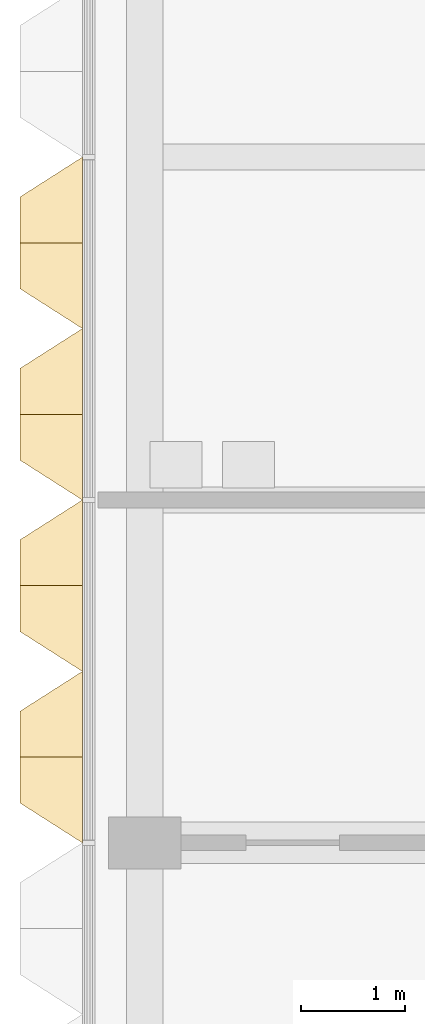
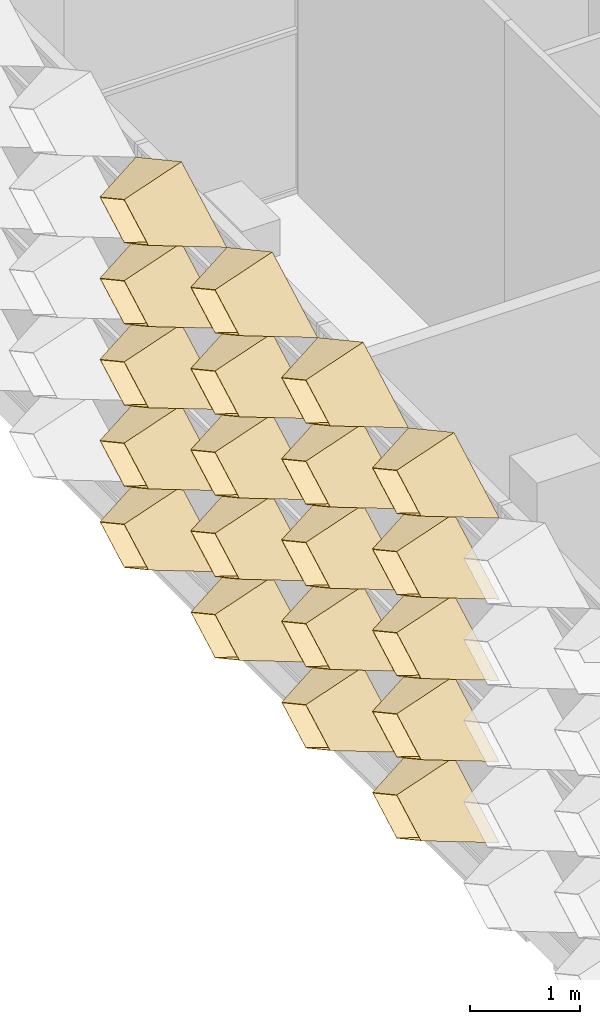
# One storey, part 20 of 28: 20 coverings.
"""IFC4 building model written with IfcOpenShell, lengths in metres."""

import ifcopenshell
import ifcopenshell.guid

model = None  # the IFC model being written
_history = None  # IfcOwnerHistory: only IFC2X3 demands one
_inside = {}  # id of a spatial element -> (the spatial element, [elements in it])
_under = {}  # id of a project, library or spatial element -> (it, [spatial elements below it])
_declared = {}  # id of a project -> (the project, [libraries it declares])
_typed = {}  # id of a type object -> (the type object, [elements of that type])
_made_of = {}  # id of a material, layer set ... -> (it, [elements and type objects made of it])


def new_model(schema):
    """Start an empty IFC model of exactly this schema.

    Asked for "IFC4X3", IfcOpenShell would pick the latest addendum, in which some entities
    have other attributes; the version numbers below select the first issue.
    IFC2X3 requires an IfcOwnerHistory on every rooted entity: one is made here for all.
    """
    global model, _history
    if schema == "IFC4X3":
        model = ifcopenshell.file(schema_version=(4, 3, 0, 0))
    else:
        model = ifcopenshell.file(schema=schema)
    _inside.clear()
    _under.clear()
    _declared.clear()
    _typed.clear()
    _made_of.clear()
    _history = None
    if model.schema == "IFC2X3":
        org = make("IfcOrganization", Name="unknown")
        user = make(
            "IfcPersonAndOrganization",
            ThePerson=make("IfcPerson", FamilyName="unknown"),
            TheOrganization=org,
        )
        app = make(
            "IfcApplication",
            ApplicationDeveloper=org,
            Version="unknown",
            ApplicationFullName="unknown",
            ApplicationIdentifier="unknown",
        )
        _history = make(
            "IfcOwnerHistory",
            OwningUser=user,
            OwningApplication=app,
            ChangeAction="ADDED",
            CreationDate=0,
        )
    return model


def make(cls, **values):
    """One entity of the class cls with the attributes given. An attribute that is None is left unset."""
    return model.create_entity(
        cls, **{name: value for name, value in values.items() if value is not None}
    )


def entity(cls, *values):
    """Any entity or typed value of the class cls, its attributes in the order of the schema. None: left unset."""
    e = model.create_entity(cls)
    for i, value in enumerate(values):
        if value is not None:
            e[i] = value
    return e


def rooted(cls, **values):
    """An entity with a GlobalId (a new one), such as an element, a storey or a relation."""
    return make(cls, GlobalId=ifcopenshell.guid.new(), OwnerHistory=_history, **values)


def si_unit(unit_type, name, prefix=None):
    """IfcSIUnit, for example si_unit("LENGTHUNIT", "METRE", prefix="MILLI")."""
    return make("IfcSIUnit", UnitType=unit_type, Prefix=prefix, Name=name)


def assignment(units):
    """IfcUnitAssignment: the units of a project."""
    return None if units is None else make("IfcUnitAssignment", Units=units)


def point(xyz):
    """IfcCartesianPoint."""
    return None if xyz is None else make("IfcCartesianPoint", Coordinates=xyz)


def direction(xyz):
    """IfcDirection."""
    return None if xyz is None else make("IfcDirection", DirectionRatios=xyz)


def frame(location, z_axis=None, x_axis=None):
    """IfcAxis2Placement3D, a coordinate frame: its origin and axes. An axis left out is left unset."""
    return make(
        "IfcAxis2Placement3D",
        Location=point(location),
        Axis=direction(z_axis),
        RefDirection=direction(x_axis),
    )


def origin():
    """The frame at (0, 0, 0) with its axes left unset."""
    return frame((0.0, 0.0, 0.0))


def place(relative_to, where):
    """IfcLocalPlacement: puts the frame where relative to a parent placement (None: the world)."""
    return make(
        "IfcLocalPlacement", PlacementRelTo=relative_to, RelativePlacement=where
    )


def context(
    kind, dimensions, precision=None, world=None, true_north=None, identifier=None
):
    """IfcGeometricRepresentationContext, for example the 3D "Model" context."""
    return make(
        "IfcGeometricRepresentationContext",
        ContextIdentifier=identifier,
        ContextType=kind,
        CoordinateSpaceDimension=dimensions,
        Precision=precision,
        WorldCoordinateSystem=world,
        TrueNorth=true_north,
    )


def subcontext(parent, identifier, kind, view, scale=None):
    """IfcGeometricRepresentationSubContext, for example "Body" below "Model"."""
    return make(
        "IfcGeometricRepresentationSubContext",
        ContextIdentifier=identifier,
        ContextType=kind,
        ParentContext=parent,
        TargetScale=scale,
        TargetView=view,
    )


def project(units=None, contexts=None):
    """IfcProject with its units and contexts."""
    return rooted(
        "IfcProject",
        Name="project",
        RepresentationContexts=contexts,
        UnitsInContext=assignment(units),
    )


def spatial(cls, under=None, at=None, **own):
    """A site, building, storey or space (cls), placed at a placement, below another one or the project."""
    s = rooted(cls, ObjectPlacement=at, **own)
    if under is not None:
        _under.setdefault(under.id(), (under, []))[1].append(s)
    return s


def shape(context_of_items, identifier, shape_type, items):
    """IfcShapeRepresentation: the items that make up one representation, for example the "Body"."""
    return make(
        "IfcShapeRepresentation",
        ContextOfItems=context_of_items,
        RepresentationIdentifier=identifier,
        RepresentationType=shape_type,
        Items=items,
    )


def material(Name=None, Category=None):
    """IfcMaterial."""
    return make("IfcMaterial", Name=Name, Category=Category)


def layer(
    of_material, thickness, ventilated=None, Name=None, Category=None, Priority=None
):
    """IfcMaterialLayer: one layer of a wall or slab, of a material (None: an air gap)."""
    return make(
        "IfcMaterialLayer",
        Material=of_material,
        LayerThickness=thickness,
        IsVentilated=ventilated,
        Name=Name,
        Category=Category,
        Priority=Priority,
    )


def layer_set(layers, Name=None):
    """IfcMaterialLayerSet."""
    return make("IfcMaterialLayerSet", MaterialLayers=layers, LayerSetName=Name)


def made_of(thing, what):
    """Note that an element or type object is made of a material, layer set ...; save() writes the relation."""
    if what is not None:
        _made_of.setdefault(what.id(), (what, []))[1].append(thing)
    return thing


def type_object(cls, material=None, **own):
    """A type object (cls), such as IfcWallType, which elements share."""
    return made_of(rooted(cls, **own), material)


def element(
    cls,
    number,
    at=None,
    inside=None,
    cuts=None,
    type_object=None,
    material=None,
    context=None,
    identifier="Body",
    shape_type=None,
    held_by="IfcProductDefinitionShape",
    body=None,
    shapes=None,
    **own,
):
    """One element of the class cls, such as IfcWall. Its Tag is "e" and its number.

    at: its placement. inside: the storey or other place that contains it. cuts: it is an
    opening in that element (IfcRelVoidsElement). A single representation is given by context,
    identifier, shape_type and body (its items); several are given by shapes. held_by: the class
    of the entity that holds the representations. save() writes the other relations.
    """
    e = rooted(cls, Tag="e%d" % number, ObjectPlacement=at, **own)
    if body is not None:
        shapes = [shape(context, identifier, shape_type, body)]
    if shapes is not None:
        e.Representation = make(held_by, Representations=shapes)
    if inside is not None:
        _inside.setdefault(inside.id(), (inside, []))[1].append(e)
    if cuts is not None:
        rooted(
            "IfcRelVoidsElement", RelatingBuildingElement=cuts, RelatedOpeningElement=e
        )
    if type_object is not None:
        _typed.setdefault(type_object.id(), (type_object, []))[1].append(e)
    return made_of(e, material)


def aggregate(whole, parts):
    """IfcRelAggregates: a whole, such as a stair, and the parts it consists of."""
    return rooted("IfcRelAggregates", RelatingObject=whole, RelatedObjects=parts)


def save(model, path):
    """Write the relations noted so far, then the file.

    IfcRelAggregates (storeys below a building ...), IfcRelContainedInSpatialStructure (elements
    in a storey), IfcRelDefinesByType, IfcRelAssociatesMaterial and IfcRelDeclares: one each for
    every whole, place, type object, material and project.
    """
    for whole, parts in _under.values():
        aggregate(whole, parts)
    for where, things in _inside.values():
        rooted(
            "IfcRelContainedInSpatialStructure",
            RelatedElements=things,
            RelatingStructure=where,
        )
    for kind, things in _typed.values():
        rooted("IfcRelDefinesByType", RelatedObjects=things, RelatingType=kind)
    for what, things in _made_of.values():
        rooted("IfcRelAssociatesMaterial", RelatedObjects=things, RelatingMaterial=what)
    for by, libraries in _declared.values():
        rooted("IfcRelDeclares", RelatingContext=by, RelatedDefinitions=libraries)
    model.write(path)


model = new_model("IFC4")

# Units and contexts
model_context = context("Model", 3, precision=1e-05, world=origin(), true_north=direction((0.0, 1.0)))
body_context = subcontext(model_context, "Body", "Model", "MODEL_VIEW")
ifc_project = project(units=[si_unit("LENGTHUNIT", "METRE"), si_unit("AREAUNIT", "SQUARE_METRE"), si_unit("VOLUMEUNIT", "CUBIC_METRE"), si_unit("PLANEANGLEUNIT", "RADIAN"), si_unit("MASSUNIT", "GRAM", prefix="KILO")], contexts=[model_context])

# Site, building, storey
site_placement = place(None, origin())
site = spatial("IfcSite", under=ifc_project, at=site_placement, CompositionType="ELEMENT")
building_placement = place(site_placement, origin())
building = spatial("IfcBuilding", under=site, at=building_placement, Name="Lantern Court Research Institute", CompositionType="ELEMENT")
storey_placement = place(building_placement, frame((0.0, 0.0, 36.89990234375)))
storey = spatial("IfcBuildingStorey", under=building, at=storey_placement, Name="L08", CompositionType="ELEMENT", Elevation=36.89990234375)

# Coverings
ifc_material = material(Name="Anodised aluminium", Category="aluminium")
ifc_layer = layer(ifc_material, 0.01611328125)
ifc_layer_set = layer_set([ifc_layer], Name="Anodised aluminium")
covering_type = type_object("IfcCoveringType", Name="Fin cassette 1650 x 900 x 600 aluminium", PredefinedType="CLADDING", material=ifc_layer_set)
covering_1_placement = place(storey_placement, frame((52.199951171875, 14.02490234375, 0.4501953125), z_axis=(-1.0, 0.0, 0.0), x_axis=(0.0, -1.0, 0.0)))
cartesian_point_1 = entity("IfcCartesianPoint", [0.824951171875, 0.0])
cartesian_point_2 = entity("IfcCartesianPoint", [0.79150390625, 0.0])
cartesian_point_3 = entity("IfcCartesianPoint", [0.44189453125, 0.0])
cartesian_point_4 = entity("IfcCartesianPoint", [0.43359375, 0.0])
element("IfcCovering", 1, at=covering_1_placement, inside=storey, type_object=covering_type, Name="Fin cassette V5W-L08 1.9", PredefinedType="CLADDING", context=body_context, shape_type="SweptSolid", body=[
    entity("IfcExtrudedAreaSolidTapered", entity("IfcArbitraryProfileDefWithVoids", "AREA", None, entity("IfcPolyline", [cartesian_point_1, entity("IfcCartesianPoint", [0.0, 0.449951171875]), entity("IfcCartesianPoint", [-0.824951171875, 0.0]), entity("IfcCartesianPoint", [0.0, -0.449951171875]), cartesian_point_1]), [entity("IfcPolyline", [cartesian_point_2, entity("IfcCartesianPoint", [0.0, 0.431884765625]), entity("IfcCartesianPoint", [-0.79150390625, 0.0]), entity("IfcCartesianPoint", [0.0, -0.431884765625]), cartesian_point_2])]), entity("IfcAxis2Placement3D", entity("IfcCartesianPoint", [0.0, 0.0, 0.0])), entity("IfcDirection", [0.0, 0.0, 1.0]), 0.60009765625, entity("IfcArbitraryProfileDefWithVoids", "AREA", None, entity("IfcPolyline", [cartesian_point_3, entity("IfcCartesianPoint", [0.0, 0.240966796875]), entity("IfcCartesianPoint", [-0.44189453125, 0.0]), entity("IfcCartesianPoint", [0.0, -0.240966796875]), cartesian_point_3]), [entity("IfcPolyline", [cartesian_point_4, entity("IfcCartesianPoint", [0.0, 0.236572265625]), entity("IfcCartesianPoint", [-0.43359375, 0.0]), entity("IfcCartesianPoint", [0.0, -0.236572265625]), cartesian_point_4])])),
])
covering_2_placement = place(storey_placement, frame((52.199951171875, 15.675048828125, 0.4501953125), z_axis=(-1.0, 0.0, 0.0), x_axis=(0.0, -1.0, 0.0)))
cartesian_point_5 = entity("IfcCartesianPoint", [0.824951171875, 0.0])
cartesian_point_6 = entity("IfcCartesianPoint", [0.79150390625, 0.0])
cartesian_point_7 = entity("IfcCartesianPoint", [0.44189453125, 0.0])
cartesian_point_8 = entity("IfcCartesianPoint", [0.43359375, 0.0])
element("IfcCovering", 2, at=covering_2_placement, inside=storey, type_object=covering_type, Name="Fin cassette V5W-L08 1.10", PredefinedType="CLADDING", context=body_context, shape_type="SweptSolid", body=[
    entity("IfcExtrudedAreaSolidTapered", entity("IfcArbitraryProfileDefWithVoids", "AREA", None, entity("IfcPolyline", [cartesian_point_5, entity("IfcCartesianPoint", [0.0, 0.449951171875]), entity("IfcCartesianPoint", [-0.824951171875, 0.0]), entity("IfcCartesianPoint", [0.0, -0.449951171875]), cartesian_point_5]), [entity("IfcPolyline", [cartesian_point_6, entity("IfcCartesianPoint", [0.0, 0.431884765625]), entity("IfcCartesianPoint", [-0.79150390625, 0.0]), entity("IfcCartesianPoint", [0.0, -0.431884765625]), cartesian_point_6])]), entity("IfcAxis2Placement3D", entity("IfcCartesianPoint", [0.0, 0.0, 0.0])), entity("IfcDirection", [0.0, 0.0, 1.0]), 0.60009765625, entity("IfcArbitraryProfileDefWithVoids", "AREA", None, entity("IfcPolyline", [cartesian_point_7, entity("IfcCartesianPoint", [0.0, 0.240966796875]), entity("IfcCartesianPoint", [-0.44189453125, 0.0]), entity("IfcCartesianPoint", [0.0, -0.240966796875]), cartesian_point_7]), [entity("IfcPolyline", [cartesian_point_8, entity("IfcCartesianPoint", [0.0, 0.236572265625]), entity("IfcCartesianPoint", [-0.43359375, 0.0]), entity("IfcCartesianPoint", [0.0, -0.236572265625]), cartesian_point_8])])),
])
covering_3_placement = place(storey_placement, frame((52.199951171875, 17.324951171875, 0.4501953125), z_axis=(-1.0, 0.0, 0.0), x_axis=(0.0, -1.0, 0.0)))
cartesian_point_9 = entity("IfcCartesianPoint", [0.824951171875, 0.0])
cartesian_point_10 = entity("IfcCartesianPoint", [0.79150390625, 0.0])
cartesian_point_11 = entity("IfcCartesianPoint", [0.44189453125, 0.0])
cartesian_point_12 = entity("IfcCartesianPoint", [0.43359375, 0.0])
element("IfcCovering", 3, at=covering_3_placement, inside=storey, type_object=covering_type, Name="Fin cassette V5W-L08 1.11", PredefinedType="CLADDING", context=body_context, shape_type="SweptSolid", body=[
    entity("IfcExtrudedAreaSolidTapered", entity("IfcArbitraryProfileDefWithVoids", "AREA", None, entity("IfcPolyline", [cartesian_point_9, entity("IfcCartesianPoint", [0.0, 0.449951171875]), entity("IfcCartesianPoint", [-0.824951171875, 0.0]), entity("IfcCartesianPoint", [0.0, -0.449951171875]), cartesian_point_9]), [entity("IfcPolyline", [cartesian_point_10, entity("IfcCartesianPoint", [0.0, 0.431884765625]), entity("IfcCartesianPoint", [-0.79150390625, 0.0]), entity("IfcCartesianPoint", [0.0, -0.431884765625]), cartesian_point_10])]), entity("IfcAxis2Placement3D", entity("IfcCartesianPoint", [0.0, 0.0, 0.0])), entity("IfcDirection", [0.0, 0.0, 1.0]), 0.60009765625, entity("IfcArbitraryProfileDefWithVoids", "AREA", None, entity("IfcPolyline", [cartesian_point_11, entity("IfcCartesianPoint", [0.0, 0.240966796875]), entity("IfcCartesianPoint", [-0.44189453125, 0.0]), entity("IfcCartesianPoint", [0.0, -0.240966796875]), cartesian_point_11]), [entity("IfcPolyline", [cartesian_point_12, entity("IfcCartesianPoint", [0.0, 0.236572265625]), entity("IfcCartesianPoint", [-0.43359375, 0.0]), entity("IfcCartesianPoint", [0.0, -0.236572265625]), cartesian_point_12])])),
])
covering_4_placement = place(storey_placement, frame((52.199951171875, 18.97509765625, 0.4501953125), z_axis=(-1.0, 0.0, 0.0), x_axis=(0.0, -1.0, 0.0)))
cartesian_point_13 = entity("IfcCartesianPoint", [0.824951171875, 0.0])
cartesian_point_14 = entity("IfcCartesianPoint", [0.79150390625, 0.0])
cartesian_point_15 = entity("IfcCartesianPoint", [0.44189453125, 0.0])
cartesian_point_16 = entity("IfcCartesianPoint", [0.43359375, 0.0])
element("IfcCovering", 4, at=covering_4_placement, inside=storey, type_object=covering_type, Name="Fin cassette V5W-L08 1.12", PredefinedType="CLADDING", context=body_context, shape_type="SweptSolid", body=[
    entity("IfcExtrudedAreaSolidTapered", entity("IfcArbitraryProfileDefWithVoids", "AREA", None, entity("IfcPolyline", [cartesian_point_13, entity("IfcCartesianPoint", [0.0, 0.449951171875]), entity("IfcCartesianPoint", [-0.824951171875, 0.0]), entity("IfcCartesianPoint", [0.0, -0.449951171875]), cartesian_point_13]), [entity("IfcPolyline", [cartesian_point_14, entity("IfcCartesianPoint", [0.0, 0.431884765625]), entity("IfcCartesianPoint", [-0.79150390625, 0.0]), entity("IfcCartesianPoint", [0.0, -0.431884765625]), cartesian_point_14])]), entity("IfcAxis2Placement3D", entity("IfcCartesianPoint", [0.0, 0.0, 0.0])), entity("IfcDirection", [0.0, 0.0, 1.0]), 0.60009765625, entity("IfcArbitraryProfileDefWithVoids", "AREA", None, entity("IfcPolyline", [cartesian_point_15, entity("IfcCartesianPoint", [0.0, 0.240966796875]), entity("IfcCartesianPoint", [-0.44189453125, 0.0]), entity("IfcCartesianPoint", [0.0, -0.240966796875]), cartesian_point_15]), [entity("IfcPolyline", [cartesian_point_16, entity("IfcCartesianPoint", [0.0, 0.236572265625]), entity("IfcCartesianPoint", [-0.43359375, 0.0]), entity("IfcCartesianPoint", [0.0, -0.236572265625]), cartesian_point_16])])),
])
covering_5_placement = place(storey_placement, frame((52.199951171875, 14.02490234375, 1.35009765625), z_axis=(-1.0, 0.0, 0.0), x_axis=(0.0, -1.0, 0.0)))
cartesian_point_17 = entity("IfcCartesianPoint", [0.824951171875, 0.0])
cartesian_point_18 = entity("IfcCartesianPoint", [0.79150390625, 0.0])
cartesian_point_19 = entity("IfcCartesianPoint", [0.44189453125, 0.0])
cartesian_point_20 = entity("IfcCartesianPoint", [0.43359375, 0.0])
element("IfcCovering", 5, at=covering_5_placement, inside=storey, type_object=covering_type, Name="Fin cassette V5W-L08 2.9", PredefinedType="CLADDING", context=body_context, shape_type="SweptSolid", body=[
    entity("IfcExtrudedAreaSolidTapered", entity("IfcArbitraryProfileDefWithVoids", "AREA", None, entity("IfcPolyline", [cartesian_point_17, entity("IfcCartesianPoint", [0.0, 0.449951171875]), entity("IfcCartesianPoint", [-0.824951171875, 0.0]), entity("IfcCartesianPoint", [0.0, -0.449951171875]), cartesian_point_17]), [entity("IfcPolyline", [cartesian_point_18, entity("IfcCartesianPoint", [0.0, 0.431884765625]), entity("IfcCartesianPoint", [-0.79150390625, 0.0]), entity("IfcCartesianPoint", [0.0, -0.431884765625]), cartesian_point_18])]), entity("IfcAxis2Placement3D", entity("IfcCartesianPoint", [0.0, 0.0, 0.0])), entity("IfcDirection", [0.0, 0.0, 1.0]), 0.60009765625, entity("IfcArbitraryProfileDefWithVoids", "AREA", None, entity("IfcPolyline", [cartesian_point_19, entity("IfcCartesianPoint", [0.0, 0.240966796875]), entity("IfcCartesianPoint", [-0.44189453125, 0.0]), entity("IfcCartesianPoint", [0.0, -0.240966796875]), cartesian_point_19]), [entity("IfcPolyline", [cartesian_point_20, entity("IfcCartesianPoint", [0.0, 0.236572265625]), entity("IfcCartesianPoint", [-0.43359375, 0.0]), entity("IfcCartesianPoint", [0.0, -0.236572265625]), cartesian_point_20])])),
])
covering_6_placement = place(storey_placement, frame((52.199951171875, 15.675048828125, 1.35009765625), z_axis=(-1.0, 0.0, 0.0), x_axis=(0.0, -1.0, 0.0)))
cartesian_point_21 = entity("IfcCartesianPoint", [0.824951171875, 0.0])
cartesian_point_22 = entity("IfcCartesianPoint", [0.79150390625, 0.0])
cartesian_point_23 = entity("IfcCartesianPoint", [0.44189453125, 0.0])
cartesian_point_24 = entity("IfcCartesianPoint", [0.43359375, 0.0])
element("IfcCovering", 6, at=covering_6_placement, inside=storey, type_object=covering_type, Name="Fin cassette V5W-L08 2.10", PredefinedType="CLADDING", context=body_context, shape_type="SweptSolid", body=[
    entity("IfcExtrudedAreaSolidTapered", entity("IfcArbitraryProfileDefWithVoids", "AREA", None, entity("IfcPolyline", [cartesian_point_21, entity("IfcCartesianPoint", [0.0, 0.449951171875]), entity("IfcCartesianPoint", [-0.824951171875, 0.0]), entity("IfcCartesianPoint", [0.0, -0.449951171875]), cartesian_point_21]), [entity("IfcPolyline", [cartesian_point_22, entity("IfcCartesianPoint", [0.0, 0.431884765625]), entity("IfcCartesianPoint", [-0.79150390625, 0.0]), entity("IfcCartesianPoint", [0.0, -0.431884765625]), cartesian_point_22])]), entity("IfcAxis2Placement3D", entity("IfcCartesianPoint", [0.0, 0.0, 0.0])), entity("IfcDirection", [0.0, 0.0, 1.0]), 0.60009765625, entity("IfcArbitraryProfileDefWithVoids", "AREA", None, entity("IfcPolyline", [cartesian_point_23, entity("IfcCartesianPoint", [0.0, 0.240966796875]), entity("IfcCartesianPoint", [-0.44189453125, 0.0]), entity("IfcCartesianPoint", [0.0, -0.240966796875]), cartesian_point_23]), [entity("IfcPolyline", [cartesian_point_24, entity("IfcCartesianPoint", [0.0, 0.236572265625]), entity("IfcCartesianPoint", [-0.43359375, 0.0]), entity("IfcCartesianPoint", [0.0, -0.236572265625]), cartesian_point_24])])),
])
covering_7_placement = place(storey_placement, frame((52.199951171875, 17.324951171875, 1.35009765625), z_axis=(-1.0, 0.0, 0.0), x_axis=(0.0, -1.0, 0.0)))
cartesian_point_25 = entity("IfcCartesianPoint", [0.824951171875, 0.0])
cartesian_point_26 = entity("IfcCartesianPoint", [0.79150390625, 0.0])
cartesian_point_27 = entity("IfcCartesianPoint", [0.44189453125, 0.0])
cartesian_point_28 = entity("IfcCartesianPoint", [0.43359375, 0.0])
element("IfcCovering", 7, at=covering_7_placement, inside=storey, type_object=covering_type, Name="Fin cassette V5W-L08 2.11", PredefinedType="CLADDING", context=body_context, shape_type="SweptSolid", body=[
    entity("IfcExtrudedAreaSolidTapered", entity("IfcArbitraryProfileDefWithVoids", "AREA", None, entity("IfcPolyline", [cartesian_point_25, entity("IfcCartesianPoint", [0.0, 0.449951171875]), entity("IfcCartesianPoint", [-0.824951171875, 0.0]), entity("IfcCartesianPoint", [0.0, -0.449951171875]), cartesian_point_25]), [entity("IfcPolyline", [cartesian_point_26, entity("IfcCartesianPoint", [0.0, 0.431884765625]), entity("IfcCartesianPoint", [-0.79150390625, 0.0]), entity("IfcCartesianPoint", [0.0, -0.431884765625]), cartesian_point_26])]), entity("IfcAxis2Placement3D", entity("IfcCartesianPoint", [0.0, 0.0, 0.0])), entity("IfcDirection", [0.0, 0.0, 1.0]), 0.60009765625, entity("IfcArbitraryProfileDefWithVoids", "AREA", None, entity("IfcPolyline", [cartesian_point_27, entity("IfcCartesianPoint", [0.0, 0.240966796875]), entity("IfcCartesianPoint", [-0.44189453125, 0.0]), entity("IfcCartesianPoint", [0.0, -0.240966796875]), cartesian_point_27]), [entity("IfcPolyline", [cartesian_point_28, entity("IfcCartesianPoint", [0.0, 0.236572265625]), entity("IfcCartesianPoint", [-0.43359375, 0.0]), entity("IfcCartesianPoint", [0.0, -0.236572265625]), cartesian_point_28])])),
])
covering_8_placement = place(storey_placement, frame((52.199951171875, 18.97509765625, 1.35009765625), z_axis=(-1.0, 0.0, 0.0), x_axis=(0.0, -1.0, 0.0)))
cartesian_point_29 = entity("IfcCartesianPoint", [0.824951171875, 0.0])
cartesian_point_30 = entity("IfcCartesianPoint", [0.79150390625, 0.0])
cartesian_point_31 = entity("IfcCartesianPoint", [0.44189453125, 0.0])
cartesian_point_32 = entity("IfcCartesianPoint", [0.43359375, 0.0])
element("IfcCovering", 8, at=covering_8_placement, inside=storey, type_object=covering_type, Name="Fin cassette V5W-L08 2.12", PredefinedType="CLADDING", context=body_context, shape_type="SweptSolid", body=[
    entity("IfcExtrudedAreaSolidTapered", entity("IfcArbitraryProfileDefWithVoids", "AREA", None, entity("IfcPolyline", [cartesian_point_29, entity("IfcCartesianPoint", [0.0, 0.449951171875]), entity("IfcCartesianPoint", [-0.824951171875, 0.0]), entity("IfcCartesianPoint", [0.0, -0.449951171875]), cartesian_point_29]), [entity("IfcPolyline", [cartesian_point_30, entity("IfcCartesianPoint", [0.0, 0.431884765625]), entity("IfcCartesianPoint", [-0.79150390625, 0.0]), entity("IfcCartesianPoint", [0.0, -0.431884765625]), cartesian_point_30])]), entity("IfcAxis2Placement3D", entity("IfcCartesianPoint", [0.0, 0.0, 0.0])), entity("IfcDirection", [0.0, 0.0, 1.0]), 0.60009765625, entity("IfcArbitraryProfileDefWithVoids", "AREA", None, entity("IfcPolyline", [cartesian_point_31, entity("IfcCartesianPoint", [0.0, 0.240966796875]), entity("IfcCartesianPoint", [-0.44189453125, 0.0]), entity("IfcCartesianPoint", [0.0, -0.240966796875]), cartesian_point_31]), [entity("IfcPolyline", [cartesian_point_32, entity("IfcCartesianPoint", [0.0, 0.236572265625]), entity("IfcCartesianPoint", [-0.43359375, 0.0]), entity("IfcCartesianPoint", [0.0, -0.236572265625]), cartesian_point_32])])),
])
covering_9_placement = place(storey_placement, frame((52.199951171875, 14.02490234375, 2.25), z_axis=(-1.0, 0.0, 0.0), x_axis=(0.0, -1.0, 0.0)))
cartesian_point_33 = entity("IfcCartesianPoint", [0.824951171875, 0.0])
cartesian_point_34 = entity("IfcCartesianPoint", [0.79150390625, 0.0])
cartesian_point_35 = entity("IfcCartesianPoint", [0.44189453125, 0.0])
cartesian_point_36 = entity("IfcCartesianPoint", [0.43359375, 0.0])
element("IfcCovering", 9, at=covering_9_placement, inside=storey, type_object=covering_type, Name="Fin cassette V5W-L08 3.9", PredefinedType="CLADDING", context=body_context, shape_type="SweptSolid", body=[
    entity("IfcExtrudedAreaSolidTapered", entity("IfcArbitraryProfileDefWithVoids", "AREA", None, entity("IfcPolyline", [cartesian_point_33, entity("IfcCartesianPoint", [0.0, 0.449951171875]), entity("IfcCartesianPoint", [-0.824951171875, 0.0]), entity("IfcCartesianPoint", [0.0, -0.449951171875]), cartesian_point_33]), [entity("IfcPolyline", [cartesian_point_34, entity("IfcCartesianPoint", [0.0, 0.431884765625]), entity("IfcCartesianPoint", [-0.79150390625, 0.0]), entity("IfcCartesianPoint", [0.0, -0.431884765625]), cartesian_point_34])]), entity("IfcAxis2Placement3D", entity("IfcCartesianPoint", [0.0, 0.0, 0.0])), entity("IfcDirection", [0.0, 0.0, 1.0]), 0.60009765625, entity("IfcArbitraryProfileDefWithVoids", "AREA", None, entity("IfcPolyline", [cartesian_point_35, entity("IfcCartesianPoint", [0.0, 0.240966796875]), entity("IfcCartesianPoint", [-0.44189453125, 0.0]), entity("IfcCartesianPoint", [0.0, -0.240966796875]), cartesian_point_35]), [entity("IfcPolyline", [cartesian_point_36, entity("IfcCartesianPoint", [0.0, 0.236572265625]), entity("IfcCartesianPoint", [-0.43359375, 0.0]), entity("IfcCartesianPoint", [0.0, -0.236572265625]), cartesian_point_36])])),
])
covering_10_placement = place(storey_placement, frame((52.199951171875, 15.675048828125, 2.25), z_axis=(-1.0, 0.0, 0.0), x_axis=(0.0, -1.0, 0.0)))
cartesian_point_37 = entity("IfcCartesianPoint", [0.824951171875, 0.0])
cartesian_point_38 = entity("IfcCartesianPoint", [0.79150390625, 0.0])
cartesian_point_39 = entity("IfcCartesianPoint", [0.44189453125, 0.0])
cartesian_point_40 = entity("IfcCartesianPoint", [0.43359375, 0.0])
element("IfcCovering", 10, at=covering_10_placement, inside=storey, type_object=covering_type, Name="Fin cassette V5W-L08 3.10", PredefinedType="CLADDING", context=body_context, shape_type="SweptSolid", body=[
    entity("IfcExtrudedAreaSolidTapered", entity("IfcArbitraryProfileDefWithVoids", "AREA", None, entity("IfcPolyline", [cartesian_point_37, entity("IfcCartesianPoint", [0.0, 0.449951171875]), entity("IfcCartesianPoint", [-0.824951171875, 0.0]), entity("IfcCartesianPoint", [0.0, -0.449951171875]), cartesian_point_37]), [entity("IfcPolyline", [cartesian_point_38, entity("IfcCartesianPoint", [0.0, 0.431884765625]), entity("IfcCartesianPoint", [-0.79150390625, 0.0]), entity("IfcCartesianPoint", [0.0, -0.431884765625]), cartesian_point_38])]), entity("IfcAxis2Placement3D", entity("IfcCartesianPoint", [0.0, 0.0, 0.0])), entity("IfcDirection", [0.0, 0.0, 1.0]), 0.60009765625, entity("IfcArbitraryProfileDefWithVoids", "AREA", None, entity("IfcPolyline", [cartesian_point_39, entity("IfcCartesianPoint", [0.0, 0.240966796875]), entity("IfcCartesianPoint", [-0.44189453125, 0.0]), entity("IfcCartesianPoint", [0.0, -0.240966796875]), cartesian_point_39]), [entity("IfcPolyline", [cartesian_point_40, entity("IfcCartesianPoint", [0.0, 0.236572265625]), entity("IfcCartesianPoint", [-0.43359375, 0.0]), entity("IfcCartesianPoint", [0.0, -0.236572265625]), cartesian_point_40])])),
])
covering_11_placement = place(storey_placement, frame((52.199951171875, 17.324951171875, 2.25), z_axis=(-1.0, 0.0, 0.0), x_axis=(0.0, -1.0, 0.0)))
cartesian_point_41 = entity("IfcCartesianPoint", [0.824951171875, 0.0])
cartesian_point_42 = entity("IfcCartesianPoint", [0.79150390625, 0.0])
cartesian_point_43 = entity("IfcCartesianPoint", [0.44189453125, 0.0])
cartesian_point_44 = entity("IfcCartesianPoint", [0.43359375, 0.0])
element("IfcCovering", 11, at=covering_11_placement, inside=storey, type_object=covering_type, Name="Fin cassette V5W-L08 3.11", PredefinedType="CLADDING", context=body_context, shape_type="SweptSolid", body=[
    entity("IfcExtrudedAreaSolidTapered", entity("IfcArbitraryProfileDefWithVoids", "AREA", None, entity("IfcPolyline", [cartesian_point_41, entity("IfcCartesianPoint", [0.0, 0.449951171875]), entity("IfcCartesianPoint", [-0.824951171875, 0.0]), entity("IfcCartesianPoint", [0.0, -0.449951171875]), cartesian_point_41]), [entity("IfcPolyline", [cartesian_point_42, entity("IfcCartesianPoint", [0.0, 0.431884765625]), entity("IfcCartesianPoint", [-0.79150390625, 0.0]), entity("IfcCartesianPoint", [0.0, -0.431884765625]), cartesian_point_42])]), entity("IfcAxis2Placement3D", entity("IfcCartesianPoint", [0.0, 0.0, 0.0])), entity("IfcDirection", [0.0, 0.0, 1.0]), 0.60009765625, entity("IfcArbitraryProfileDefWithVoids", "AREA", None, entity("IfcPolyline", [cartesian_point_43, entity("IfcCartesianPoint", [0.0, 0.240966796875]), entity("IfcCartesianPoint", [-0.44189453125, 0.0]), entity("IfcCartesianPoint", [0.0, -0.240966796875]), cartesian_point_43]), [entity("IfcPolyline", [cartesian_point_44, entity("IfcCartesianPoint", [0.0, 0.236572265625]), entity("IfcCartesianPoint", [-0.43359375, 0.0]), entity("IfcCartesianPoint", [0.0, -0.236572265625]), cartesian_point_44])])),
])
covering_12_placement = place(storey_placement, frame((52.199951171875, 18.97509765625, 2.25), z_axis=(-1.0, 0.0, 0.0), x_axis=(0.0, -1.0, 0.0)))
cartesian_point_45 = entity("IfcCartesianPoint", [0.824951171875, 0.0])
cartesian_point_46 = entity("IfcCartesianPoint", [0.79150390625, 0.0])
cartesian_point_47 = entity("IfcCartesianPoint", [0.44189453125, 0.0])
cartesian_point_48 = entity("IfcCartesianPoint", [0.43359375, 0.0])
element("IfcCovering", 12, at=covering_12_placement, inside=storey, type_object=covering_type, Name="Fin cassette V5W-L08 3.12", PredefinedType="CLADDING", context=body_context, shape_type="SweptSolid", body=[
    entity("IfcExtrudedAreaSolidTapered", entity("IfcArbitraryProfileDefWithVoids", "AREA", None, entity("IfcPolyline", [cartesian_point_45, entity("IfcCartesianPoint", [0.0, 0.449951171875]), entity("IfcCartesianPoint", [-0.824951171875, 0.0]), entity("IfcCartesianPoint", [0.0, -0.449951171875]), cartesian_point_45]), [entity("IfcPolyline", [cartesian_point_46, entity("IfcCartesianPoint", [0.0, 0.431884765625]), entity("IfcCartesianPoint", [-0.79150390625, 0.0]), entity("IfcCartesianPoint", [0.0, -0.431884765625]), cartesian_point_46])]), entity("IfcAxis2Placement3D", entity("IfcCartesianPoint", [0.0, 0.0, 0.0])), entity("IfcDirection", [0.0, 0.0, 1.0]), 0.60009765625, entity("IfcArbitraryProfileDefWithVoids", "AREA", None, entity("IfcPolyline", [cartesian_point_47, entity("IfcCartesianPoint", [0.0, 0.240966796875]), entity("IfcCartesianPoint", [-0.44189453125, 0.0]), entity("IfcCartesianPoint", [0.0, -0.240966796875]), cartesian_point_47]), [entity("IfcPolyline", [cartesian_point_48, entity("IfcCartesianPoint", [0.0, 0.236572265625]), entity("IfcCartesianPoint", [-0.43359375, 0.0]), entity("IfcCartesianPoint", [0.0, -0.236572265625]), cartesian_point_48])])),
])
covering_13_placement = place(storey_placement, frame((52.199951171875, 14.02490234375, 3.150146484375), z_axis=(-1.0, 0.0, 0.0), x_axis=(0.0, -1.0, 0.0)))
cartesian_point_49 = entity("IfcCartesianPoint", [0.824951171875, 0.0])
cartesian_point_50 = entity("IfcCartesianPoint", [0.79150390625, 0.0])
cartesian_point_51 = entity("IfcCartesianPoint", [0.44189453125, 0.0])
cartesian_point_52 = entity("IfcCartesianPoint", [0.43359375, 0.0])
element("IfcCovering", 13, at=covering_13_placement, inside=storey, type_object=covering_type, Name="Fin cassette V5W-L08 4.9", PredefinedType="CLADDING", context=body_context, shape_type="SweptSolid", body=[
    entity("IfcExtrudedAreaSolidTapered", entity("IfcArbitraryProfileDefWithVoids", "AREA", None, entity("IfcPolyline", [cartesian_point_49, entity("IfcCartesianPoint", [0.0, 0.449951171875]), entity("IfcCartesianPoint", [-0.824951171875, 0.0]), entity("IfcCartesianPoint", [0.0, -0.449951171875]), cartesian_point_49]), [entity("IfcPolyline", [cartesian_point_50, entity("IfcCartesianPoint", [0.0, 0.431884765625]), entity("IfcCartesianPoint", [-0.79150390625, 0.0]), entity("IfcCartesianPoint", [0.0, -0.431884765625]), cartesian_point_50])]), entity("IfcAxis2Placement3D", entity("IfcCartesianPoint", [0.0, 0.0, 0.0])), entity("IfcDirection", [0.0, 0.0, 1.0]), 0.60009765625, entity("IfcArbitraryProfileDefWithVoids", "AREA", None, entity("IfcPolyline", [cartesian_point_51, entity("IfcCartesianPoint", [0.0, 0.240966796875]), entity("IfcCartesianPoint", [-0.44189453125, 0.0]), entity("IfcCartesianPoint", [0.0, -0.240966796875]), cartesian_point_51]), [entity("IfcPolyline", [cartesian_point_52, entity("IfcCartesianPoint", [0.0, 0.236572265625]), entity("IfcCartesianPoint", [-0.43359375, 0.0]), entity("IfcCartesianPoint", [0.0, -0.236572265625]), cartesian_point_52])])),
])
covering_14_placement = place(storey_placement, frame((52.199951171875, 15.675048828125, 3.150146484375), z_axis=(-1.0, 0.0, 0.0), x_axis=(0.0, -1.0, 0.0)))
cartesian_point_53 = entity("IfcCartesianPoint", [0.824951171875, 0.0])
cartesian_point_54 = entity("IfcCartesianPoint", [0.79150390625, 0.0])
cartesian_point_55 = entity("IfcCartesianPoint", [0.44189453125, 0.0])
cartesian_point_56 = entity("IfcCartesianPoint", [0.43359375, 0.0])
element("IfcCovering", 14, at=covering_14_placement, inside=storey, type_object=covering_type, Name="Fin cassette V5W-L08 4.10", PredefinedType="CLADDING", context=body_context, shape_type="SweptSolid", body=[
    entity("IfcExtrudedAreaSolidTapered", entity("IfcArbitraryProfileDefWithVoids", "AREA", None, entity("IfcPolyline", [cartesian_point_53, entity("IfcCartesianPoint", [0.0, 0.449951171875]), entity("IfcCartesianPoint", [-0.824951171875, 0.0]), entity("IfcCartesianPoint", [0.0, -0.449951171875]), cartesian_point_53]), [entity("IfcPolyline", [cartesian_point_54, entity("IfcCartesianPoint", [0.0, 0.431884765625]), entity("IfcCartesianPoint", [-0.79150390625, 0.0]), entity("IfcCartesianPoint", [0.0, -0.431884765625]), cartesian_point_54])]), entity("IfcAxis2Placement3D", entity("IfcCartesianPoint", [0.0, 0.0, 0.0])), entity("IfcDirection", [0.0, 0.0, 1.0]), 0.60009765625, entity("IfcArbitraryProfileDefWithVoids", "AREA", None, entity("IfcPolyline", [cartesian_point_55, entity("IfcCartesianPoint", [0.0, 0.240966796875]), entity("IfcCartesianPoint", [-0.44189453125, 0.0]), entity("IfcCartesianPoint", [0.0, -0.240966796875]), cartesian_point_55]), [entity("IfcPolyline", [cartesian_point_56, entity("IfcCartesianPoint", [0.0, 0.236572265625]), entity("IfcCartesianPoint", [-0.43359375, 0.0]), entity("IfcCartesianPoint", [0.0, -0.236572265625]), cartesian_point_56])])),
])
covering_15_placement = place(storey_placement, frame((52.199951171875, 17.324951171875, 3.150146484375), z_axis=(-1.0, 0.0, 0.0), x_axis=(0.0, -1.0, 0.0)))
cartesian_point_57 = entity("IfcCartesianPoint", [0.824951171875, 0.0])
cartesian_point_58 = entity("IfcCartesianPoint", [0.79150390625, 0.0])
cartesian_point_59 = entity("IfcCartesianPoint", [0.44189453125, 0.0])
cartesian_point_60 = entity("IfcCartesianPoint", [0.43359375, 0.0])
element("IfcCovering", 15, at=covering_15_placement, inside=storey, type_object=covering_type, Name="Fin cassette V5W-L08 4.11", PredefinedType="CLADDING", context=body_context, shape_type="SweptSolid", body=[
    entity("IfcExtrudedAreaSolidTapered", entity("IfcArbitraryProfileDefWithVoids", "AREA", None, entity("IfcPolyline", [cartesian_point_57, entity("IfcCartesianPoint", [0.0, 0.449951171875]), entity("IfcCartesianPoint", [-0.824951171875, 0.0]), entity("IfcCartesianPoint", [0.0, -0.449951171875]), cartesian_point_57]), [entity("IfcPolyline", [cartesian_point_58, entity("IfcCartesianPoint", [0.0, 0.431884765625]), entity("IfcCartesianPoint", [-0.79150390625, 0.0]), entity("IfcCartesianPoint", [0.0, -0.431884765625]), cartesian_point_58])]), entity("IfcAxis2Placement3D", entity("IfcCartesianPoint", [0.0, 0.0, 0.0])), entity("IfcDirection", [0.0, 0.0, 1.0]), 0.60009765625, entity("IfcArbitraryProfileDefWithVoids", "AREA", None, entity("IfcPolyline", [cartesian_point_59, entity("IfcCartesianPoint", [0.0, 0.240966796875]), entity("IfcCartesianPoint", [-0.44189453125, 0.0]), entity("IfcCartesianPoint", [0.0, -0.240966796875]), cartesian_point_59]), [entity("IfcPolyline", [cartesian_point_60, entity("IfcCartesianPoint", [0.0, 0.236572265625]), entity("IfcCartesianPoint", [-0.43359375, 0.0]), entity("IfcCartesianPoint", [0.0, -0.236572265625]), cartesian_point_60])])),
])
covering_16_placement = place(storey_placement, frame((52.199951171875, 18.97509765625, 3.150146484375), z_axis=(-1.0, 0.0, 0.0), x_axis=(0.0, -1.0, 0.0)))
cartesian_point_61 = entity("IfcCartesianPoint", [0.824951171875, 0.0])
cartesian_point_62 = entity("IfcCartesianPoint", [0.79150390625, 0.0])
cartesian_point_63 = entity("IfcCartesianPoint", [0.44189453125, 0.0])
cartesian_point_64 = entity("IfcCartesianPoint", [0.43359375, 0.0])
element("IfcCovering", 16, at=covering_16_placement, inside=storey, type_object=covering_type, Name="Fin cassette V5W-L08 4.12", PredefinedType="CLADDING", context=body_context, shape_type="SweptSolid", body=[
    entity("IfcExtrudedAreaSolidTapered", entity("IfcArbitraryProfileDefWithVoids", "AREA", None, entity("IfcPolyline", [cartesian_point_61, entity("IfcCartesianPoint", [0.0, 0.449951171875]), entity("IfcCartesianPoint", [-0.824951171875, 0.0]), entity("IfcCartesianPoint", [0.0, -0.449951171875]), cartesian_point_61]), [entity("IfcPolyline", [cartesian_point_62, entity("IfcCartesianPoint", [0.0, 0.431884765625]), entity("IfcCartesianPoint", [-0.79150390625, 0.0]), entity("IfcCartesianPoint", [0.0, -0.431884765625]), cartesian_point_62])]), entity("IfcAxis2Placement3D", entity("IfcCartesianPoint", [0.0, 0.0, 0.0])), entity("IfcDirection", [0.0, 0.0, 1.0]), 0.60009765625, entity("IfcArbitraryProfileDefWithVoids", "AREA", None, entity("IfcPolyline", [cartesian_point_63, entity("IfcCartesianPoint", [0.0, 0.240966796875]), entity("IfcCartesianPoint", [-0.44189453125, 0.0]), entity("IfcCartesianPoint", [0.0, -0.240966796875]), cartesian_point_63]), [entity("IfcPolyline", [cartesian_point_64, entity("IfcCartesianPoint", [0.0, 0.236572265625]), entity("IfcCartesianPoint", [-0.43359375, 0.0]), entity("IfcCartesianPoint", [0.0, -0.236572265625]), cartesian_point_64])])),
])
covering_17_placement = place(storey_placement, frame((52.199951171875, 14.02490234375, 4.050048828125), z_axis=(-1.0, 0.0, 0.0), x_axis=(0.0, -1.0, 0.0)))
cartesian_point_65 = entity("IfcCartesianPoint", [0.824951171875, 0.0])
cartesian_point_66 = entity("IfcCartesianPoint", [0.79150390625, 0.0])
cartesian_point_67 = entity("IfcCartesianPoint", [0.44189453125, 0.0])
cartesian_point_68 = entity("IfcCartesianPoint", [0.43359375, 0.0])
element("IfcCovering", 17, at=covering_17_placement, inside=storey, type_object=covering_type, Name="Fin cassette V5W-L08 5.9", PredefinedType="CLADDING", context=body_context, shape_type="SweptSolid", body=[
    entity("IfcExtrudedAreaSolidTapered", entity("IfcArbitraryProfileDefWithVoids", "AREA", None, entity("IfcPolyline", [cartesian_point_65, entity("IfcCartesianPoint", [0.0, 0.449951171875]), entity("IfcCartesianPoint", [-0.824951171875, 0.0]), entity("IfcCartesianPoint", [0.0, -0.449951171875]), cartesian_point_65]), [entity("IfcPolyline", [cartesian_point_66, entity("IfcCartesianPoint", [0.0, 0.431884765625]), entity("IfcCartesianPoint", [-0.79150390625, 0.0]), entity("IfcCartesianPoint", [0.0, -0.431884765625]), cartesian_point_66])]), entity("IfcAxis2Placement3D", entity("IfcCartesianPoint", [0.0, 0.0, 0.0])), entity("IfcDirection", [0.0, 0.0, 1.0]), 0.60009765625, entity("IfcArbitraryProfileDefWithVoids", "AREA", None, entity("IfcPolyline", [cartesian_point_67, entity("IfcCartesianPoint", [0.0, 0.240966796875]), entity("IfcCartesianPoint", [-0.44189453125, 0.0]), entity("IfcCartesianPoint", [0.0, -0.240966796875]), cartesian_point_67]), [entity("IfcPolyline", [cartesian_point_68, entity("IfcCartesianPoint", [0.0, 0.236572265625]), entity("IfcCartesianPoint", [-0.43359375, 0.0]), entity("IfcCartesianPoint", [0.0, -0.236572265625]), cartesian_point_68])])),
])
covering_18_placement = place(storey_placement, frame((52.199951171875, 15.675048828125, 4.050048828125), z_axis=(-1.0, 0.0, 0.0), x_axis=(0.0, -1.0, 0.0)))
cartesian_point_69 = entity("IfcCartesianPoint", [0.824951171875, 0.0])
cartesian_point_70 = entity("IfcCartesianPoint", [0.79150390625, 0.0])
cartesian_point_71 = entity("IfcCartesianPoint", [0.44189453125, 0.0])
cartesian_point_72 = entity("IfcCartesianPoint", [0.43359375, 0.0])
element("IfcCovering", 18, at=covering_18_placement, inside=storey, type_object=covering_type, Name="Fin cassette V5W-L08 5.10", PredefinedType="CLADDING", context=body_context, shape_type="SweptSolid", body=[
    entity("IfcExtrudedAreaSolidTapered", entity("IfcArbitraryProfileDefWithVoids", "AREA", None, entity("IfcPolyline", [cartesian_point_69, entity("IfcCartesianPoint", [0.0, 0.449951171875]), entity("IfcCartesianPoint", [-0.824951171875, 0.0]), entity("IfcCartesianPoint", [0.0, -0.449951171875]), cartesian_point_69]), [entity("IfcPolyline", [cartesian_point_70, entity("IfcCartesianPoint", [0.0, 0.431884765625]), entity("IfcCartesianPoint", [-0.79150390625, 0.0]), entity("IfcCartesianPoint", [0.0, -0.431884765625]), cartesian_point_70])]), entity("IfcAxis2Placement3D", entity("IfcCartesianPoint", [0.0, 0.0, 0.0])), entity("IfcDirection", [0.0, 0.0, 1.0]), 0.60009765625, entity("IfcArbitraryProfileDefWithVoids", "AREA", None, entity("IfcPolyline", [cartesian_point_71, entity("IfcCartesianPoint", [0.0, 0.240966796875]), entity("IfcCartesianPoint", [-0.44189453125, 0.0]), entity("IfcCartesianPoint", [0.0, -0.240966796875]), cartesian_point_71]), [entity("IfcPolyline", [cartesian_point_72, entity("IfcCartesianPoint", [0.0, 0.236572265625]), entity("IfcCartesianPoint", [-0.43359375, 0.0]), entity("IfcCartesianPoint", [0.0, -0.236572265625]), cartesian_point_72])])),
])
covering_19_placement = place(storey_placement, frame((52.199951171875, 17.324951171875, 4.050048828125), z_axis=(-1.0, 0.0, 0.0), x_axis=(0.0, -1.0, 0.0)))
cartesian_point_73 = entity("IfcCartesianPoint", [0.824951171875, 0.0])
cartesian_point_74 = entity("IfcCartesianPoint", [0.79150390625, 0.0])
cartesian_point_75 = entity("IfcCartesianPoint", [0.44189453125, 0.0])
cartesian_point_76 = entity("IfcCartesianPoint", [0.43359375, 0.0])
element("IfcCovering", 19, at=covering_19_placement, inside=storey, type_object=covering_type, Name="Fin cassette V5W-L08 5.11", PredefinedType="CLADDING", context=body_context, shape_type="SweptSolid", body=[
    entity("IfcExtrudedAreaSolidTapered", entity("IfcArbitraryProfileDefWithVoids", "AREA", None, entity("IfcPolyline", [cartesian_point_73, entity("IfcCartesianPoint", [0.0, 0.449951171875]), entity("IfcCartesianPoint", [-0.824951171875, 0.0]), entity("IfcCartesianPoint", [0.0, -0.449951171875]), cartesian_point_73]), [entity("IfcPolyline", [cartesian_point_74, entity("IfcCartesianPoint", [0.0, 0.431884765625]), entity("IfcCartesianPoint", [-0.79150390625, 0.0]), entity("IfcCartesianPoint", [0.0, -0.431884765625]), cartesian_point_74])]), entity("IfcAxis2Placement3D", entity("IfcCartesianPoint", [0.0, 0.0, 0.0])), entity("IfcDirection", [0.0, 0.0, 1.0]), 0.60009765625, entity("IfcArbitraryProfileDefWithVoids", "AREA", None, entity("IfcPolyline", [cartesian_point_75, entity("IfcCartesianPoint", [0.0, 0.240966796875]), entity("IfcCartesianPoint", [-0.44189453125, 0.0]), entity("IfcCartesianPoint", [0.0, -0.240966796875]), cartesian_point_75]), [entity("IfcPolyline", [cartesian_point_76, entity("IfcCartesianPoint", [0.0, 0.236572265625]), entity("IfcCartesianPoint", [-0.43359375, 0.0]), entity("IfcCartesianPoint", [0.0, -0.236572265625]), cartesian_point_76])])),
])
covering_20_placement = place(storey_placement, frame((52.199951171875, 18.97509765625, 4.050048828125), z_axis=(-1.0, 0.0, 0.0), x_axis=(0.0, -1.0, 0.0)))
cartesian_point_77 = entity("IfcCartesianPoint", [0.824951171875, 0.0])
cartesian_point_78 = entity("IfcCartesianPoint", [0.79150390625, 0.0])
cartesian_point_79 = entity("IfcCartesianPoint", [0.44189453125, 0.0])
cartesian_point_80 = entity("IfcCartesianPoint", [0.43359375, 0.0])
element("IfcCovering", 20, at=covering_20_placement, inside=storey, type_object=covering_type, Name="Fin cassette V5W-L08 5.12", PredefinedType="CLADDING", context=body_context, shape_type="SweptSolid", body=[
    entity("IfcExtrudedAreaSolidTapered", entity("IfcArbitraryProfileDefWithVoids", "AREA", None, entity("IfcPolyline", [cartesian_point_77, entity("IfcCartesianPoint", [0.0, 0.449951171875]), entity("IfcCartesianPoint", [-0.824951171875, 0.0]), entity("IfcCartesianPoint", [0.0, -0.449951171875]), cartesian_point_77]), [entity("IfcPolyline", [cartesian_point_78, entity("IfcCartesianPoint", [0.0, 0.431884765625]), entity("IfcCartesianPoint", [-0.79150390625, 0.0]), entity("IfcCartesianPoint", [0.0, -0.431884765625]), cartesian_point_78])]), entity("IfcAxis2Placement3D", entity("IfcCartesianPoint", [0.0, 0.0, 0.0])), entity("IfcDirection", [0.0, 0.0, 1.0]), 0.60009765625, entity("IfcArbitraryProfileDefWithVoids", "AREA", None, entity("IfcPolyline", [cartesian_point_79, entity("IfcCartesianPoint", [0.0, 0.240966796875]), entity("IfcCartesianPoint", [-0.44189453125, 0.0]), entity("IfcCartesianPoint", [0.0, -0.240966796875]), cartesian_point_79]), [entity("IfcPolyline", [cartesian_point_80, entity("IfcCartesianPoint", [0.0, 0.236572265625]), entity("IfcCartesianPoint", [-0.43359375, 0.0]), entity("IfcCartesianPoint", [0.0, -0.236572265625]), cartesian_point_80])])),
])

save(model, "model.ifc")
